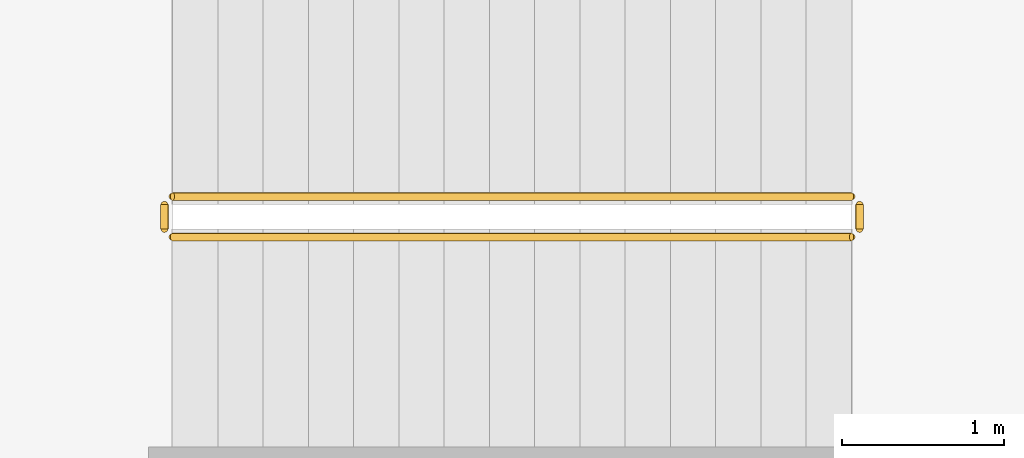
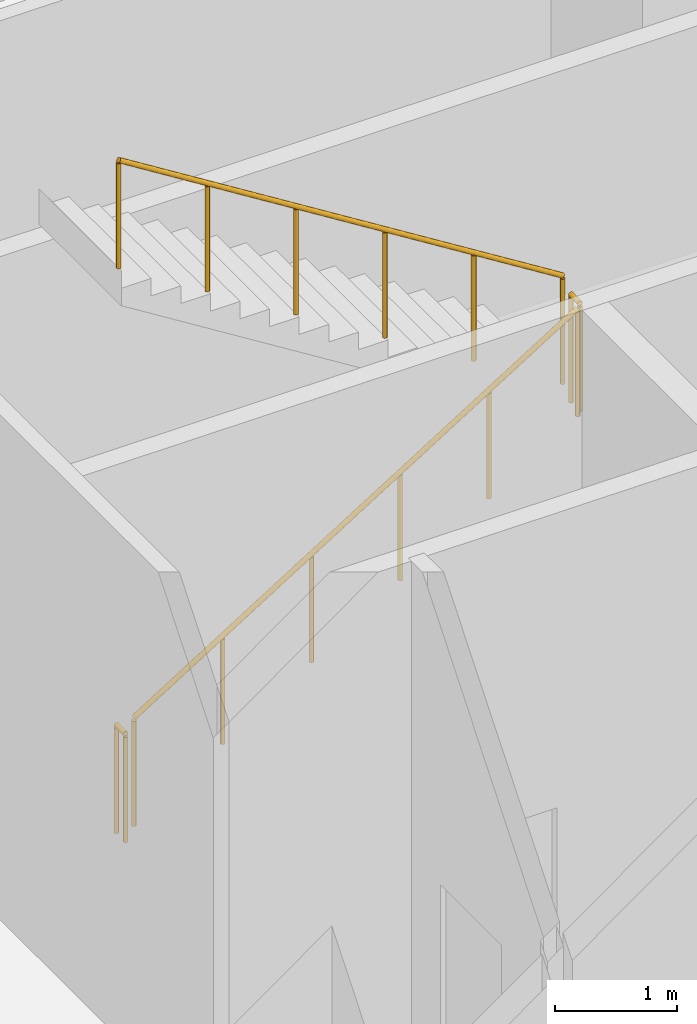
# One storey, part 19 of 24: 4 railings.
"""IFC4 building model written with IfcOpenShell, lengths in metres."""

from ifc_helpers import new_model, si_unit, direction, frame, origin, origin_2d, place, context, subcontext, project, spatial, circle, extrude, material, type_object, element, save


model = new_model("IFC4")

# Units and contexts
model_context = context("Model", 3, precision=1e-05, world=origin(), true_north=direction((0.0, 1.0)))
body_context = subcontext(model_context, "Body", "Model", "MODEL_VIEW")
ifc_project = project(units=[si_unit("LENGTHUNIT", "METRE"), si_unit("AREAUNIT", "SQUARE_METRE"), si_unit("VOLUMEUNIT", "CUBIC_METRE"), si_unit("PLANEANGLEUNIT", "RADIAN"), si_unit("MASSUNIT", "GRAM", prefix="KILO")], contexts=[model_context])

# Site, building, storey
site_placement = place(None, origin())
site = spatial("IfcSite", under=ifc_project, at=site_placement, CompositionType="ELEMENT")
building_placement = place(site_placement, origin())
building = spatial("IfcBuilding", under=site, at=building_placement, Name="Kawkab Arch Medical Tower", CompositionType="ELEMENT")
storey_placement = place(building_placement, frame((0.0, 0.0, 18.199951171875)))
storey = spatial("IfcBuildingStorey", under=building, at=storey_placement, Name="L04", CompositionType="ELEMENT", Elevation=18.199951171875)

# Railings
ifc_material = material(Name="Stainless steel", Category="steel")
railing_type = type_object("IfcRailingType", Name="Stair guard 1100", PredefinedType="GUARDRAIL", material=ifc_material)
railing_1_placement = place(storey_placement, frame((1.800048828125, -36.14990234375, 0.175048828125)))
element("IfcRailing", 1, at=railing_1_placement, inside=storey, type_object=railing_type, Name="L04 ST6 stair guard 1", PredefinedType="GUARDRAIL", context=body_context, shape_type="SweptSolid", body=[
    extrude(circle(Radius=0.02392578125, at=origin_2d()), frame((0.0, 0.0, 1.076171875), z_axis=(0.847995534698, 0.0, 0.530003370869), x_axis=(0.0, 1.0, 0.0)), (0.0, 0.0, 1.0), 4.952880859375),
    extrude(circle(Radius=0.02099609375, at=origin_2d()), origin(), (0.0, 0.0, 1.0), 1.052001953125),
    extrude(circle(Radius=0.02099609375, at=origin_2d()), frame((0.840087890625, 0.0, 0.52490234375)), (0.0, 0.0, 1.0), 1.052001953125),
    extrude(circle(Radius=0.02099609375, at=origin_2d()), frame((1.679931640625, 0.0, 1.050048828125)), (0.0, 0.0, 1.0), 1.052001953125),
    extrude(circle(Radius=0.02099609375, at=origin_2d()), frame((2.52001953125, 0.0, 1.574951171875)), (0.0, 0.0, 1.0), 1.052001953125),
    extrude(circle(Radius=0.02099609375, at=origin_2d()), frame((3.35986328125, 0.0, 2.10009765625)), (0.0, 0.0, 1.0), 1.052001953125),
    extrude(circle(Radius=0.02099609375, at=origin_2d()), frame((4.199951171875, 0.0, 2.625)), (0.0, 0.0, 1.0), 1.052001953125),
])
railing_2_placement = place(storey_placement, frame((6.050048828125, -36.10009765625, 2.800048828125)))
element("IfcRailing", 2, at=railing_2_placement, inside=storey, type_object=railing_type, Name="L04 ST6 stair guard 2", PredefinedType="GUARDRAIL", context=body_context, shape_type="SweptSolid", body=[
    extrude(circle(Radius=0.02392578125, at=origin_2d()), frame((0.0, 0.0, 1.076171875), z_axis=(0.0, 1.0, 0.0), x_axis=(-1.0, 0.0, 0.0)), (0.0, 0.0, 1.0), 0.150146484375),
    extrude(circle(Radius=0.02099609375, at=origin_2d()), origin(), (0.0, 0.0, 1.0), 1.052001953125),
    extrude(circle(Radius=0.02099609375, at=origin_2d()), frame((0.0, 0.150146484375, 0.0)), (0.0, 0.0, 1.0), 1.052001953125),
])
railing_3_placement = place(storey_placement, frame((6.0, -35.89990234375, 2.97509765625)))
element("IfcRailing", 3, at=railing_3_placement, inside=storey, type_object=railing_type, Name="L04 ST6 stair guard 3", PredefinedType="GUARDRAIL", context=body_context, shape_type="SweptSolid", body=[
    extrude(circle(Radius=0.02392578125, at=origin_2d()), frame((0.0, 0.0, 1.076171875), z_axis=(-0.847995534698, 0.0, 0.530003370869), x_axis=(0.0, -1.0, 0.0)), (0.0, 0.0, 1.0), 4.952880859375),
    extrude(circle(Radius=0.02099609375, at=origin_2d()), origin(), (0.0, 0.0, 1.0), 1.052001953125),
    extrude(circle(Radius=0.02099609375, at=origin_2d()), frame((-0.840087890625, 0.0, 0.52490234375)), (0.0, 0.0, 1.0), 1.052001953125),
    extrude(circle(Radius=0.02099609375, at=origin_2d()), frame((-1.679931640625, 0.0, 1.050048828125)), (0.0, 0.0, 1.0), 1.052001953125),
    extrude(circle(Radius=0.02099609375, at=origin_2d()), frame((-2.52001953125, 0.0, 1.574951171875)), (0.0, 0.0, 1.0), 1.052001953125),
    extrude(circle(Radius=0.02099609375, at=origin_2d()), frame((-3.35986328125, 0.0, 2.10009765625)), (0.0, 0.0, 1.0), 1.052001953125),
    extrude(circle(Radius=0.02099609375, at=origin_2d()), frame((-4.199951171875, 0.0, 2.625)), (0.0, 0.0, 1.0), 1.052001953125),
])
railing_4_placement = place(storey_placement, frame((1.75, -36.10009765625, 0.0)))
element("IfcRailing", 4, at=railing_4_placement, inside=storey, type_object=railing_type, Name="L04 ST6 stair guard 4", PredefinedType="GUARDRAIL", context=body_context, shape_type="SweptSolid", body=[
    extrude(circle(Radius=0.02392578125, at=origin_2d()), frame((0.0, 0.0, 1.076171875), z_axis=(0.0, 1.0, 0.0), x_axis=(-1.0, 0.0, 0.0)), (0.0, 0.0, 1.0), 0.150146484375),
    extrude(circle(Radius=0.02099609375, at=origin_2d()), origin(), (0.0, 0.0, 1.0), 1.052001953125),
    extrude(circle(Radius=0.02099609375, at=origin_2d()), frame((0.0, 0.150146484375, 0.0)), (0.0, 0.0, 1.0), 1.052001953125),
])

save(model, "model.ifc")
